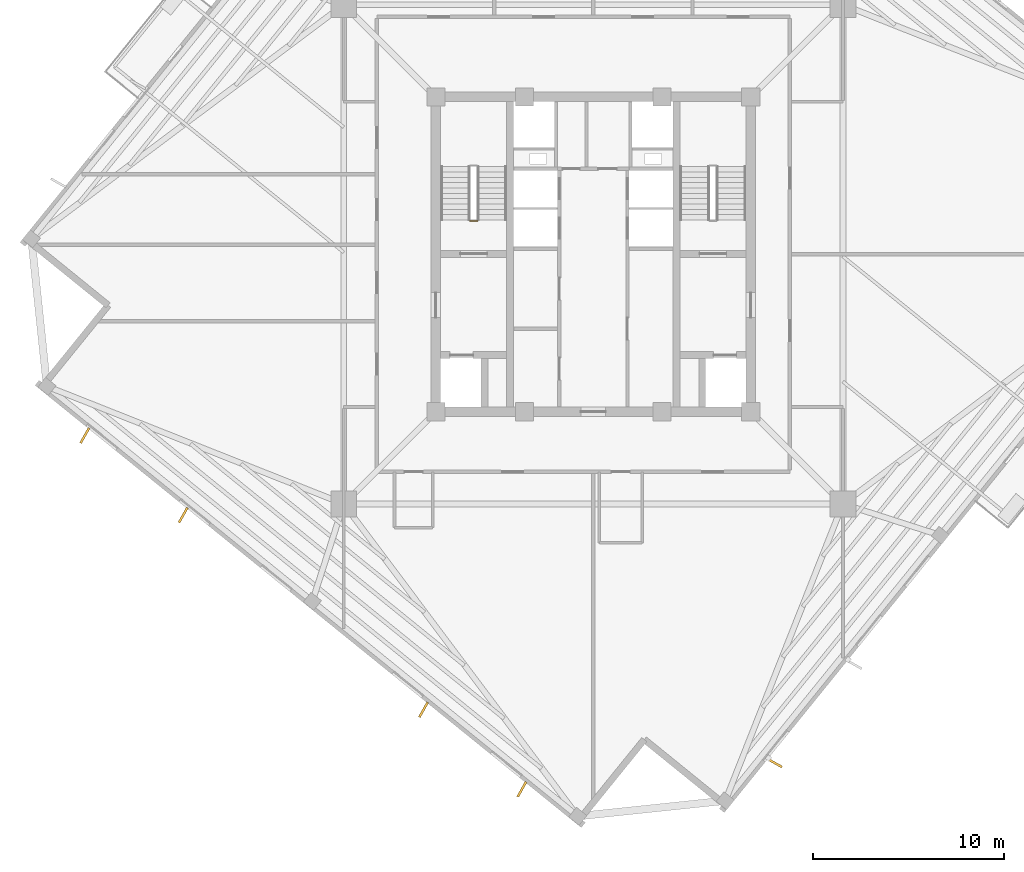
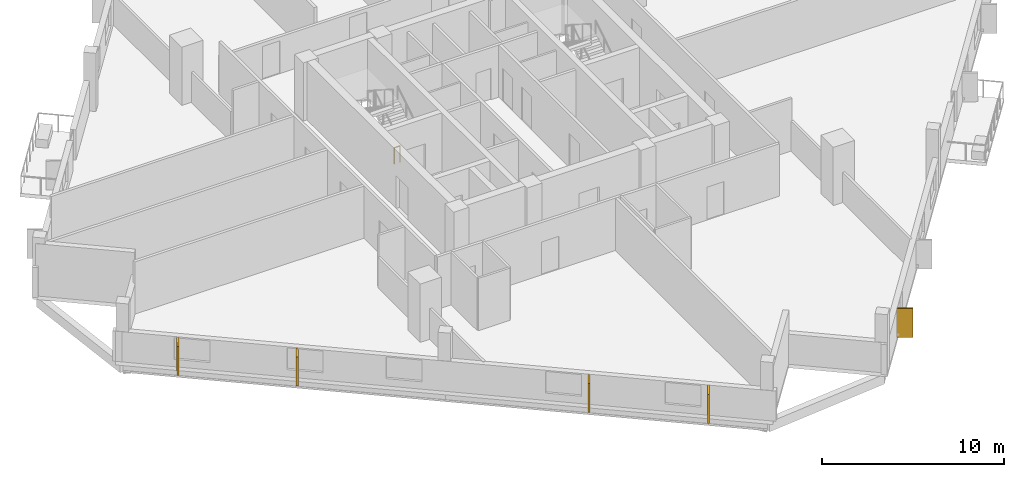
# One storey, part 6 of 9: 5 coverings, 1 railing.
"""IFC4 building model written with IfcOpenShell, lengths in metres."""

from ifc_helpers import new_model, si_unit, direction, frame, origin, origin_2d, place, context, subcontext, project, spatial, rectangle, circle, extrude, source, transform, mapped, material, layer, layer_set, type_object, element, save


model = new_model("IFC4")

# Units and contexts
model_context = context("Model", 3, precision=1e-05, world=origin(), true_north=direction((0.0, 1.0)))
body_context = subcontext(model_context, "Body", "Model", "MODEL_VIEW")
ifc_project = project(units=[si_unit("LENGTHUNIT", "METRE"), si_unit("AREAUNIT", "SQUARE_METRE"), si_unit("VOLUMEUNIT", "CUBIC_METRE"), si_unit("PLANEANGLEUNIT", "RADIAN"), si_unit("MASSUNIT", "GRAM", prefix="KILO"), si_unit("THERMODYNAMICTEMPERATUREUNIT", "KELVIN")], contexts=[model_context])

# Site, building, storey
site_placement = place(None, origin())
site = spatial("IfcSite", under=ifc_project, at=site_placement, CompositionType="ELEMENT")
building_placement = place(site_placement, origin())
building = spatial("IfcBuilding", under=site, at=building_placement, Name="Kosmvard Interchange Tower", CompositionType="ELEMENT")
storey_placement = place(building_placement, frame((0.0, 0.0, 256.300048828125)))
storey = spatial("IfcBuildingStorey", under=building, at=storey_placement, Name="L62", CompositionType="ELEMENT", Elevation=256.300048828125)

# Coverings
ifc_material_1 = material(Name="Architectural anodised aluminium", Category="aluminium")
ifc_layer = layer(ifc_material_1, 0.1201171875, Name="Architectural anodised aluminium")
ifc_layer_set = layer_set([ifc_layer], Name="Architectural anodised aluminium")
covering_type = type_object("IfcCoveringType", Name="Rotating Vertical Sun-Breaker Fin 900x120 Aluminium", PredefinedType="CLADDING", material=ifc_layer_set)
shared_shape_1 = source(origin(), body_context, "Body", "SweptSolid", [
    extrude(rectangle(XDim=0.89990234375, YDim=0.1201171875, at=origin_2d()), origin(), (0.0, 0.0, 1.0), 1.93994140625),
])
for number, where, z_axis, x_axis, name in (
    (1, (9.494384765625, -26.650146484375, 0.0400390625), (0.0, 0.0, 1.0), (0.871983845799, -0.489534649095, 0.0), "L62 Rotating Vertical Sun-Breaker Fin 01"),
    (2, (-26.650146484375, -9.494384765625, 0.0400390625), (0.0, 0.0, 1.0), (-0.489534649095, -0.871983845799, 0.0), "L62 Rotating Vertical Sun-Breaker Fin 13"),
    (3, (-21.49658203125, -13.66748046875, 0.0400390625), (0.0, 0.0, 1.0), (-0.489534649095, -0.871983845799, 0.0), "L62 Rotating Vertical Sun-Breaker Fin 14"),
    (4, (-8.8994140625, -23.86865234375, 0.0400390625), (0.0, 0.0, 1.0), (-0.489534649095, -0.871983845799, 0.0), "L62 Rotating Vertical Sun-Breaker Fin 15"),
    (5, (-3.74609375, -28.041748046875, 0.0400390625), (0.0, 0.0, 1.0), (-0.489534649095, -0.871983845799, 0.0), "L62 Rotating Vertical Sun-Breaker Fin 16"),
):
    element("IfcCovering", number, at=place(storey_placement, frame(where, z_axis=z_axis, x_axis=x_axis)), inside=storey, type_object=covering_type, Name=name, PredefinedType="CLADDING", context=body_context, shape_type="MappedRepresentation", body=[
        mapped(shared_shape_1, transform((0.0, 0.0, 0.0), scale=1.0)),
    ])

# Railing
ifc_material_2 = material(Name="Steel S355", Category="steel")
railing_type = type_object("IfcRailingType", Name="Stair & Terrace Safety Guardrail 1100 Steel", PredefinedType="GUARDRAIL", material=ifc_material_2)
shared_shape_2 = source(origin(), body_context, "Body", "SweptSolid", [
    extrude(circle(Radius=0.02392578125, at=origin_2d()), frame((0.0, 0.0, 1.076171875), z_axis=(-1.0, 0.0, 0.0), x_axis=(0.0, -1.0, 0.0)), (0.0, 0.0, 1.0), 0.35986328125),
    extrude(circle(Radius=0.02099609375, at=origin_2d()), origin(), (0.0, 0.0, 1.0), 1.052001953125),
    extrude(circle(Radius=0.02099609375, at=origin_2d()), frame((-0.35986328125, 0.0, 0.0)), (0.0, 0.0, 1.0), 1.052001953125),
])
railing_placement = place(storey_placement, frame((-6.090087890625, 1.75, 0.0)))
element("IfcRailing", 6, at=railing_placement, inside=storey, type_object=railing_type, Name="L62 ST-1 stair guard 4", PredefinedType="GUARDRAIL", context=body_context, shape_type="MappedRepresentation", body=[
    mapped(shared_shape_2, transform((0.0, 0.0, 0.0), scale=1.0)),
])

save(model, "model.ifc")
